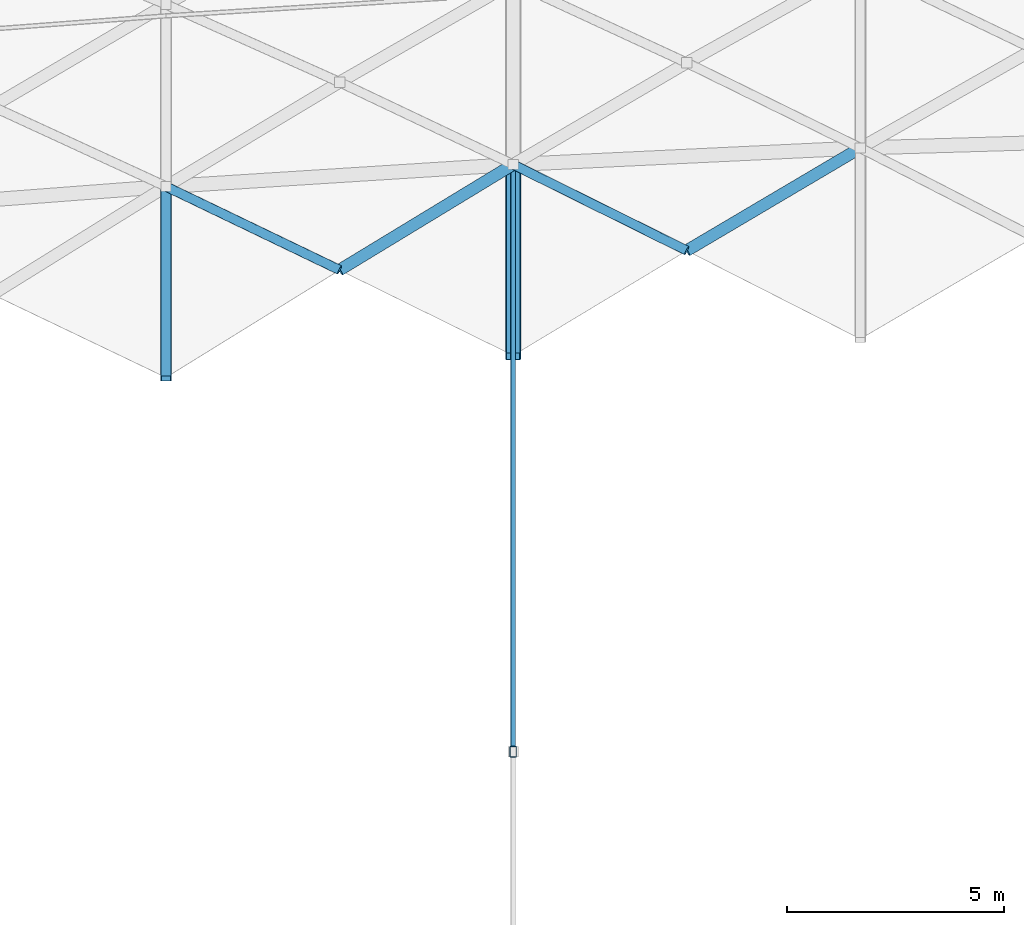
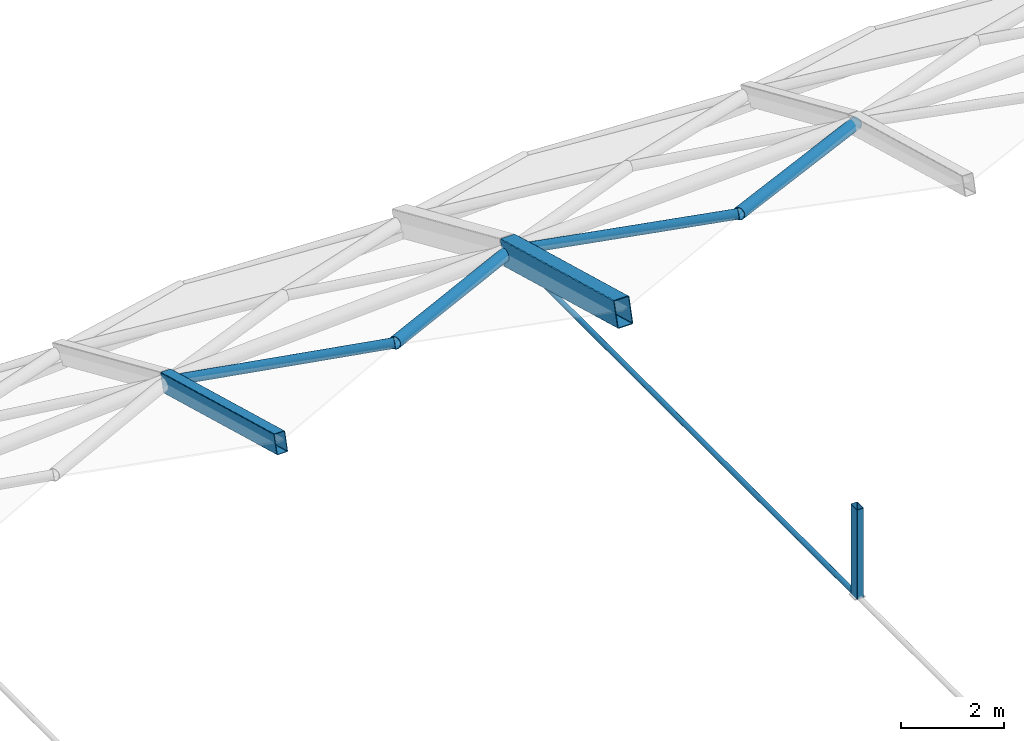
# One storey, part 7 of 54: 6 members, 2 beams.
"""IFC4 building model written with IfcOpenShell, lengths in metres."""

from ifc_helpers import new_model, si_unit, direction, frame, origin, origin_2d, place, context, subcontext, project, spatial, hollow_rectangle, hollow_circle, extrude, material, material_profile, profile_set, type_object, element, save


model = new_model("IFC4")

# Units and contexts
model_context = context("Model", 3, precision=1e-05, world=origin(), true_north=direction((0.0, 1.0)))
body_context = subcontext(model_context, "Body", "Model", "MODEL_VIEW")
ifc_project = project(units=[si_unit("LENGTHUNIT", "METRE"), si_unit("AREAUNIT", "SQUARE_METRE"), si_unit("VOLUMEUNIT", "CUBIC_METRE"), si_unit("PLANEANGLEUNIT", "RADIAN"), si_unit("MASSUNIT", "GRAM", prefix="KILO")], contexts=[model_context])

# Site, building, storey
site_placement = place(None, origin())
site = spatial("IfcSite", under=ifc_project, at=site_placement, CompositionType="ELEMENT")
building_placement = place(site_placement, origin())
building = spatial("IfcBuilding", under=site, at=building_placement, Name="Kenh Van Central Station", CompositionType="ELEMENT")
storey_placement = place(building_placement, frame((0.0, 0.0, 15.0)))
storey = spatial("IfcBuildingStorey", under=building, at=storey_placement, Name="L03", CompositionType="ELEMENT", Elevation=15.0)

# Beams
ifc_material = material(Name="White fluoropolymer structural steel S355", Category="steel")
ifc_material_profile_1 = material_profile(ifc_material, hollow_rectangle(XDim=0.35009765625, YDim=0.60009765625, WallThickness=0.01611328125, InnerFilletRadius=0.01611328125, OuterFilletRadius=0.031982421875, at=origin_2d()), Name="RHS 600x350x16")
ifc_profile_set_1 = profile_set([ifc_material_profile_1], Name="White fluoropolymer structural steel S355")
beam_type_1 = type_object("IfcBeamType", Name="BM-VAULT-ARCH600", PredefinedType="BEAM", material=ifc_profile_set_1)
beam_1_placement = place(storey_placement, frame((64.0, 99.614990234375, 5.28173828125), z_axis=(0.0, 0.964381836979, -0.264514030829), x_axis=(-1.0, 0.0, 0.0)))
element("IfcBeam", 1, at=beam_1_placement, inside=storey, type_object=beam_type_1, Name="Vault transverse arch 057", PredefinedType="BEAM", context=body_context, shape_type="SweptSolid", body=[
    extrude(hollow_rectangle(XDim=0.35009765625, YDim=0.60009765625, WallThickness=0.01611328125, InnerFilletRadius=0.01611328125, OuterFilletRadius=0.031982421875, at=origin_2d()), origin(), (0.0, 0.0, 1.0), 4.58447265625),
])
ifc_material_profile_2 = material_profile(ifc_material, hollow_rectangle(XDim=0.25, YDim=0.449951171875, WallThickness=0.012451171875, InnerFilletRadius=0.012451171875, OuterFilletRadius=0.02490234375, at=origin_2d()), Name="RHS 450x250x12.5")
ifc_profile_set_2 = profile_set([ifc_material_profile_2], Name="White fluoropolymer structural steel S355")
beam_type_2 = type_object("IfcBeamType", Name="BM-VAULT-SUB450", PredefinedType="BEAM", material=ifc_profile_set_2)
beam_2_placement = place(storey_placement, frame((56.0, 99.108154296875, 5.28173828125), z_axis=(0.0, 0.96438556277, -0.26450044673), x_axis=(-1.0, 0.0, 0.0)))
element("IfcBeam", 2, at=beam_2_placement, inside=storey, type_object=beam_type_2, Name="Vault transverse arch 045", PredefinedType="BEAM", context=body_context, shape_type="SweptSolid", body=[
    extrude(hollow_rectangle(XDim=0.25, YDim=0.449951171875, WallThickness=0.012451171875, InnerFilletRadius=0.012451171875, OuterFilletRadius=0.02490234375, at=origin_2d()), origin(), (0.0, 0.0, 1.0), 4.584716796875),
])

# Members
ifc_material_profile_3 = material_profile(ifc_material, hollow_rectangle(XDim=0.14990234375, YDim=0.25, WallThickness=0.008056640625, InnerFilletRadius=0.008056640625, OuterFilletRadius=0.01611328125, at=origin_2d()), Name="RHS 250x150x8")
ifc_profile_set_3 = profile_set([ifc_material_profile_3], Name="White fluoropolymer structural steel S355")
member_type_1 = type_object("IfcMemberType", Name="MEM-STR-RHS250", PredefinedType="STRUT", material=ifc_profile_set_3)
member_1_placement = place(storey_placement, frame((64.0, 90.501953125, 4.069091796875), z_axis=(0.0, 0.0, 1.0), x_axis=(1.0, 0.0, 0.0)))
element("IfcMember", 3, at=member_1_placement, inside=storey, type_object=member_type_1, Name="Vault internal crown king strut 003", PredefinedType="STRUT", context=body_context, shape_type="SweptSolid", body=[
    extrude(hollow_rectangle(XDim=0.14990234375, YDim=0.25, WallThickness=0.008056640625, InnerFilletRadius=0.008056640625, OuterFilletRadius=0.01611328125, at=origin_2d()), origin(), (0.0, 0.0, 1.0), 2.130859375),
])
ifc_material_profile_4 = material_profile(ifc_material, hollow_circle(Radius=0.109619140625, WallThickness=0.008056640625, at=origin_2d()), Name="CHS 219.1x8")
ifc_profile_set_4 = profile_set([ifc_material_profile_4], Name="White fluoropolymer structural steel S355")
member_type_2 = type_object("IfcMemberType", Name="MEM-VAULT-BRC219", PredefinedType="BRACE", material=ifc_profile_set_4)
member_2_placement = place(storey_placement, frame((56.0, 103.529541015625, 4.069091796875), z_axis=(0.890897644125, -0.428483486066, 0.150676109123), x_axis=(0.433431898641, 0.901186323265, 0.0)))
element("IfcMember", 4, at=member_2_placement, inside=storey, type_object=member_type_2, Name="Vault diamond grid member 0163", PredefinedType="BRACE", context=body_context, shape_type="SweptSolid", body=[
    extrude(hollow_circle(Radius=0.109619140625, WallThickness=0.008056640625, at=origin_2d()), origin(), (0.0, 0.0, 1.0), 4.48974609375),
])
member_3_placement = place(storey_placement, frame((64.0, 104.0361328125, 4.069091796875), z_axis=(0.885777539956, -0.439266510751, 0.149810154005), x_axis=(0.444280311455, 0.895887830509, 0.0)))
element("IfcMember", 5, at=member_3_placement, inside=storey, type_object=member_type_2, Name="Vault diamond grid member 0209", PredefinedType="BRACE", context=body_context, shape_type="SweptSolid", body=[
    extrude(hollow_circle(Radius=0.109619140625, WallThickness=0.008056640625, at=origin_2d()), origin(), (0.0, 0.0, 1.0), 4.515869140625),
])
ifc_material_profile_5 = material_profile(ifc_material, hollow_circle(Radius=0.05712890625, WallThickness=0.010009765625, at=origin_2d()), Name="CHS 114.3x10")
ifc_profile_set_5 = profile_set([ifc_material_profile_5], Name="White fluoropolymer structural steel S355")
member_type_3 = type_object("IfcMemberType", Name="MEM-VAULT-CBL114", PredefinedType="BRACE", material=ifc_profile_set_5)
member_4_placement = place(storey_placement, frame((64.0, 90.501953125, 4.069091796875), z_axis=(0.0, 1.0, 0.0), x_axis=(-1.0, 0.0, 0.0)))
element("IfcMember", 6, at=member_4_placement, inside=storey, type_object=member_type_3, Name="Vault internal bowstring tension tie 06", PredefinedType="BRACE", context=body_context, shape_type="SweptSolid", body=[
    extrude(hollow_circle(Radius=0.05712890625, WallThickness=0.010009765625, at=origin_2d()), origin(), (0.0, 0.0, 1.0), 13.5341796875),
])
ifc_material_profile_6 = material_profile(ifc_material, hollow_circle(Radius=0.136474609375, WallThickness=0.010009765625, at=origin_2d()), Name="CHS 273x10")
ifc_profile_set_6 = profile_set([ifc_material_profile_6], Name="White fluoropolymer structural steel S355")
member_type_4 = type_object("IfcMemberType", Name="MEM-VAULT-CHD273", PredefinedType="CHORD", material=ifc_profile_set_6)
member_5_placement = place(storey_placement, frame((60.0, 101.605712890625, 4.74560546875), z_axis=(0.845822648009, 0.513926053524, -0.14305264634), x_axis=(-0.519266669469, 0.854612266457, 0.0)))
element("IfcMember", 7, at=member_5_placement, inside=storey, type_object=member_type_4, Name="Vault diamond grid member 0185", PredefinedType="CHORD", context=body_context, shape_type="SweptSolid", body=[
    extrude(hollow_circle(Radius=0.136474609375, WallThickness=0.010009765625, at=origin_2d()), origin(), (0.0, 0.0, 1.0), 4.72900390625),
])
member_6_placement = place(storey_placement, frame((68.0, 102.052490234375, 4.74560546875), z_axis=(0.851819010436, 0.503635910284, -0.144066801631), x_axis=(-0.50894524507, 0.860798894934, 0.0)))
element("IfcMember", 8, at=member_6_placement, inside=storey, type_object=member_type_4, Name="Vault diamond grid member 0229", PredefinedType="CHORD", context=body_context, shape_type="SweptSolid", body=[
    extrude(hollow_circle(Radius=0.136474609375, WallThickness=0.010009765625, at=origin_2d()), origin(), (0.0, 0.0, 1.0), 4.69580078125),
])

save(model, "model.ifc")
